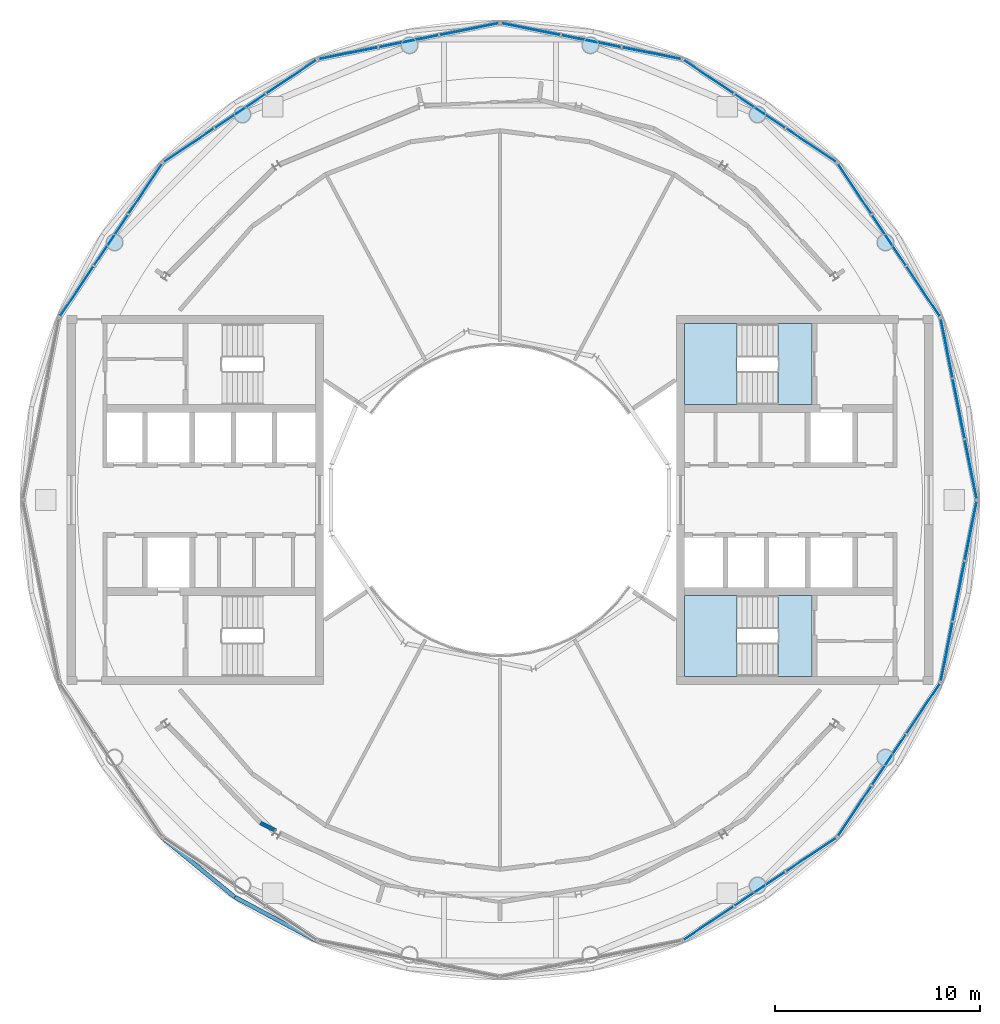
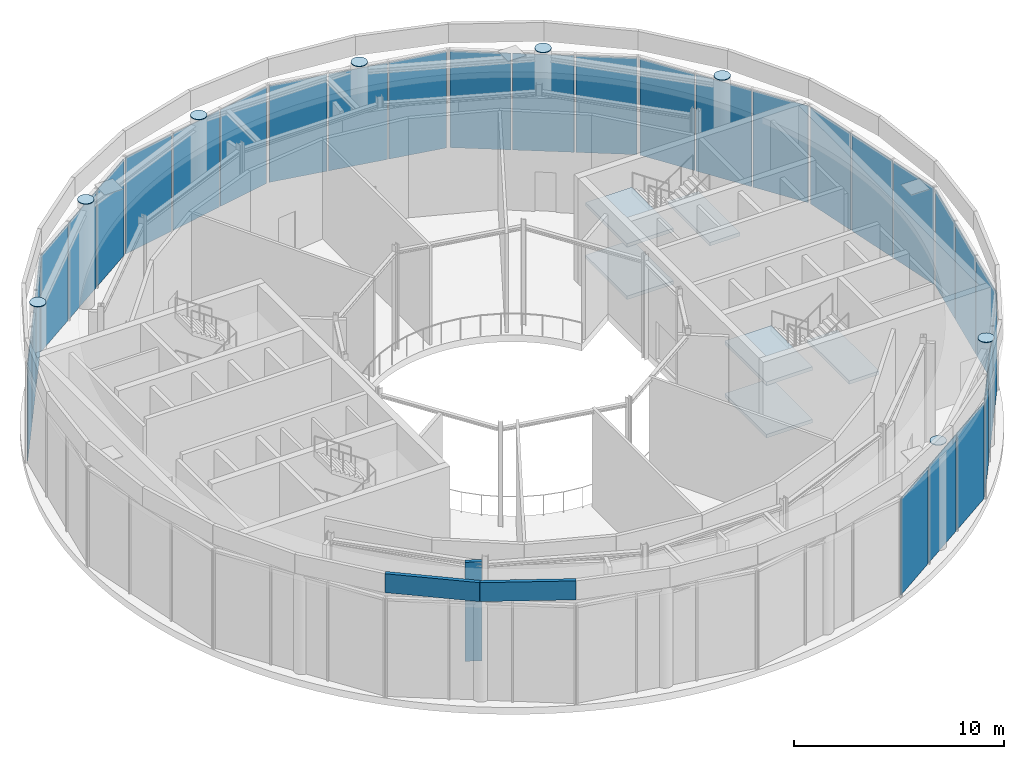
# One storey, part 10 of 20: 38 plates, 6 slabs, 3 walls, 12 elements without a shape of their own.
"""IFC4 building model written with IfcOpenShell, lengths in metres."""

from ifc_helpers import new_model, si_unit, direction, frame, frame_2d, origin, origin_2d, place, context, subcontext, project, spatial, polyline, rectangle, outline, extrude, material, layer, layer_set, type_object, element, aggregate, save


model = new_model("IFC4")

# Units and contexts
model_context = context("Model", 3, precision=1e-05, world=origin(), true_north=direction((0.0, 1.0)))
body_context = subcontext(model_context, "Body", "Model", "MODEL_VIEW")
ifc_project = project(units=[si_unit("LENGTHUNIT", "METRE"), si_unit("AREAUNIT", "SQUARE_METRE"), si_unit("VOLUMEUNIT", "CUBIC_METRE"), si_unit("PLANEANGLEUNIT", "RADIAN"), si_unit("MASSUNIT", "GRAM", prefix="KILO")], contexts=[model_context])

# Site, building, storey
site_placement = place(None, origin())
site = spatial("IfcSite", under=ifc_project, at=site_placement, CompositionType="ELEMENT")
building_placement = place(site_placement, origin())
building = spatial("IfcBuilding", under=site, at=building_placement, Name="Maasbend Ring Residences", CompositionType="ELEMENT")
storey_placement = place(building_placement, frame((0.0, 0.0, 255.39990234375)))
storey = spatial("IfcBuildingStorey", under=building, at=storey_placement, Name="L74", CompositionType="ELEMENT", Elevation=255.39990234375)

# Stair, slabs
ifc_material_1 = material(Name="Concrete C40/50", Category="concrete")
stair_type = type_object("IfcStairType", Name="CORE STAIR 36 RISERS", PredefinedType="HALF_TURN_STAIR", material=ifc_material_1)
stair_1_placement = place(storey_placement, origin())
stair_1 = element("IfcStair", 1, at=stair_1_placement, inside=storey, type_object=stair_type, Name="L74 Exit stair ST-E1", PredefinedType="HALF_TURN_STAIR")
ifc_material_2 = material(Name="Concrete C40/50", Category="concrete")
ifc_layer_1 = layer(ifc_material_2, 0.199951171875)
ifc_layer_set_1 = layer_set([ifc_layer_1], Name="Concrete C40/50")
slab_type = type_object("IfcSlabType", Name="CORE STAIR LANDING 200", PredefinedType="LANDING", material=ifc_layer_set_1)
slab_1_placement = place(storey_placement, frame((0.0, 0.0, 1.3251953125)))
slab_1 = element("IfcSlab", 2, at=slab_1_placement, type_object=slab_type, Name="ST-E1 landing 1", PredefinedType="LANDING", context=body_context, shape_type="SweptSolid", body=[
    extrude(outline(polyline([(11.550048828125, 8.60009765625), (9.0, 8.60009765625), (9.0, 4.64990234375), (11.550048828125, 4.64990234375), (11.550048828125, 8.60009765625)])), origin(), (0.0, 0.0, 1.0), 0.199951171875),
])
slab_2_placement = place(storey_placement, frame((0.0, 0.0, 2.85009765625)))
slab_2 = element("IfcSlab", 3, at=slab_2_placement, type_object=slab_type, Name="ST-E1 landing 2", PredefinedType="LANDING", context=body_context, shape_type="SweptSolid", body=[
    extrude(outline(polyline([(15.199951171875, 8.60009765625), (13.550048828125, 8.60009765625), (13.550048828125, 4.64990234375), (15.199951171875, 4.64990234375), (15.199951171875, 8.60009765625)])), origin(), (0.0, 0.0, 1.0), 0.199951171875),
])
slab_3_placement = place(storey_placement, frame((0.0, 0.0, 4.375)))
slab_3 = element("IfcSlab", 4, at=slab_3_placement, type_object=slab_type, Name="ST-E1 landing 3", PredefinedType="LANDING", context=body_context, shape_type="SweptSolid", body=[
    extrude(outline(polyline([(11.550048828125, 8.60009765625), (9.0, 8.60009765625), (9.0, 4.64990234375), (11.550048828125, 4.64990234375), (11.550048828125, 8.60009765625)])), origin(), (0.0, 0.0, 1.0), 0.2001953125),
])
aggregate(stair_1, [slab_1, slab_2, slab_3])

stair_2_placement = place(storey_placement, origin())
stair_2 = element("IfcStair", 5, at=stair_2_placement, inside=storey, type_object=stair_type, Name="L74 Exit stair ST-E2", PredefinedType="HALF_TURN_STAIR")
slab_4_placement = place(storey_placement, frame((0.0, 0.0, 1.3251953125)))
slab_4 = element("IfcSlab", 6, at=slab_4_placement, type_object=slab_type, Name="ST-E2 landing 1", PredefinedType="LANDING", context=body_context, shape_type="SweptSolid", body=[
    extrude(outline(polyline([(11.550048828125, -4.64990234375), (9.0, -4.64990234375), (9.0, -8.60009765625), (11.550048828125, -8.60009765625), (11.550048828125, -4.64990234375)])), origin(), (0.0, 0.0, 1.0), 0.199951171875),
])
slab_5_placement = place(storey_placement, frame((0.0, 0.0, 2.85009765625)))
slab_5 = element("IfcSlab", 7, at=slab_5_placement, type_object=slab_type, Name="ST-E2 landing 2", PredefinedType="LANDING", context=body_context, shape_type="SweptSolid", body=[
    extrude(outline(polyline([(15.199951171875, -4.64990234375), (13.550048828125, -4.64990234375), (13.550048828125, -8.60009765625), (15.199951171875, -8.60009765625), (15.199951171875, -4.64990234375)])), origin(), (0.0, 0.0, 1.0), 0.199951171875),
])
slab_6_placement = place(storey_placement, frame((0.0, 0.0, 4.375)))
slab_6 = element("IfcSlab", 8, at=slab_6_placement, type_object=slab_type, Name="ST-E2 landing 3", PredefinedType="LANDING", context=body_context, shape_type="SweptSolid", body=[
    extrude(outline(polyline([(11.550048828125, -4.64990234375), (9.0, -4.64990234375), (9.0, -8.60009765625), (11.550048828125, -8.60009765625), (11.550048828125, -4.64990234375)])), origin(), (0.0, 0.0, 1.0), 0.2001953125),
])
aggregate(stair_2, [slab_4, slab_5, slab_6])

# Curtain wall, plates
ifc_material_3 = material(Name="Aluminium and clear glass", Category="aluminium")
ifc_layer_2 = layer(ifc_material_3, 0.219970703125)
ifc_layer_set_2 = layer_set([ifc_layer_2], Name="CW-OB")
curtain_wall_type = type_object("IfcCurtainWallType", Name="CW-OB", PredefinedType="NOTDEFINED", material=ifc_layer_set_2)
curtain_wall_1_placement = place(storey_placement, origin())
curtain_wall_1 = element("IfcCurtainWall", 9, at=curtain_wall_1_placement, inside=storey, type_object=curtain_wall_type, Name="Observation deck curtain wall 01", PredefinedType="NOTDEFINED")
ifc_material_4 = material(Name="Glass clear laminated", Category="glass")
ifc_layer_3 = layer(ifc_material_4, 0.0400390625)
ifc_layer_set_3 = layer_set([ifc_layer_3], Name="CWP-OB")
plate_type_1 = type_object("IfcPlateType", Name="CWP-OB", PredefinedType="CURTAIN_PANEL", material=ifc_layer_set_3)
plate_1_placement = place(storey_placement, frame((22.951171875, 1.50244140625, 0.0), z_axis=(0.0, 0.0, 1.0), x_axis=(-0.195090322016, 0.980785280403, 0.0)))
plate_1 = element("IfcPlate", 10, at=plate_1_placement, type_object=plate_type_1, Name="Glass panel observation deck", PredefinedType="CURTAIN_PANEL", context=body_context, shape_type="SweptSolid", body=[
    extrude(rectangle(XDim=2.90380859375, YDim=0.0400390625, at=origin_2d()), origin(), (0.0, 0.0, 1.0), 5.610107421875),
])
plate_2_placement = place(storey_placement, frame((22.364990234375, 4.44873046875, 0.0), z_axis=(0.0, 0.0, 1.0), x_axis=(-0.195090322016, 0.980785280403, 0.0)))
plate_2 = element("IfcPlate", 11, at=plate_2_placement, type_object=plate_type_1, Name="Glass panel observation deck", PredefinedType="CURTAIN_PANEL", context=body_context, shape_type="SweptSolid", body=[
    extrude(rectangle(XDim=2.94384765625, YDim=0.0400390625, at=origin_2d()), origin(), (0.0, 0.0, 1.0), 5.610107421875),
])
plate_3_placement = place(storey_placement, frame((21.779052734375, 7.394775390625, 0.0), z_axis=(0.0, 0.0, 1.0), x_axis=(-0.195090322016, 0.980785280403, 0.0)))
plate_3 = element("IfcPlate", 12, at=plate_3_placement, type_object=plate_type_1, Name="Glass panel observation deck", PredefinedType="CURTAIN_PANEL", context=body_context, shape_type="SweptSolid", body=[
    extrude(rectangle(XDim=2.90380859375, YDim=0.0400390625, at=origin_2d()), origin(), (0.0, 0.0, 1.0), 5.610107421875),
])
aggregate(curtain_wall_1, [plate_1, plate_2, plate_3])

curtain_wall_2_placement = place(storey_placement, origin())
curtain_wall_2 = element("IfcCurtainWall", 13, at=curtain_wall_2_placement, inside=storey, type_object=curtain_wall_type, Name="Observation deck curtain wall 02", PredefinedType="NOTDEFINED")
plate_4_placement = place(storey_placement, frame((20.629150390625, 10.171142578125, 0.0), z_axis=(0.0, 0.0, 1.0), x_axis=(-0.55557023302, 0.831469612303, 0.0)))
plate_4 = element("IfcPlate", 14, at=plate_4_placement, type_object=plate_type_1, Name="Glass panel observation deck", PredefinedType="CURTAIN_PANEL", context=body_context, shape_type="SweptSolid", body=[
    extrude(rectangle(XDim=2.90380859375, YDim=0.0400390625, at=origin_2d()), origin(), (0.0, 0.0, 1.0), 5.610107421875),
])
plate_5_placement = place(storey_placement, frame((18.960205078125, 12.668701171875, 0.0), z_axis=(0.0, 0.0, 1.0), x_axis=(-0.55557023302, 0.831469612303, 0.0)))
plate_5 = element("IfcPlate", 15, at=plate_5_placement, type_object=plate_type_1, Name="Glass panel observation deck", PredefinedType="CURTAIN_PANEL", context=body_context, shape_type="SweptSolid", body=[
    extrude(rectangle(XDim=2.94384765625, YDim=0.0400390625, at=origin_2d()), origin(), (0.0, 0.0, 1.0), 5.610107421875),
])
plate_6_placement = place(storey_placement, frame((17.291259765625, 15.16650390625, 0.0), z_axis=(0.0, 0.0, 1.0), x_axis=(-0.55557023302, 0.831469612303, 0.0)))
plate_6 = element("IfcPlate", 16, at=plate_6_placement, type_object=plate_type_1, Name="Glass panel observation deck", PredefinedType="CURTAIN_PANEL", context=body_context, shape_type="SweptSolid", body=[
    extrude(rectangle(XDim=2.90380859375, YDim=0.0400390625, at=origin_2d()), origin(), (0.0, 0.0, 1.0), 5.610107421875),
])
aggregate(curtain_wall_2, [plate_4, plate_5, plate_6])

curtain_wall_3_placement = place(storey_placement, origin())
curtain_wall_3 = element("IfcCurtainWall", 17, at=curtain_wall_3_placement, inside=storey, type_object=curtain_wall_type, Name="Observation deck curtain wall 03", PredefinedType="NOTDEFINED")
plate_7_placement = place(storey_placement, frame((15.16650390625, 17.291259765625, 0.0), z_axis=(0.0, 0.0, 1.0), x_axis=(-0.831469612303, 0.55557023302, 0.0)))
plate_7 = element("IfcPlate", 18, at=plate_7_placement, type_object=plate_type_1, Name="Glass panel observation deck", PredefinedType="CURTAIN_PANEL", context=body_context, shape_type="SweptSolid", body=[
    extrude(rectangle(XDim=2.90380859375, YDim=0.0400390625, at=origin_2d()), origin(), (0.0, 0.0, 1.0), 5.610107421875),
])
plate_8_placement = place(storey_placement, frame((12.668701171875, 18.960205078125, 0.0), z_axis=(0.0, 0.0, 1.0), x_axis=(-0.831469612303, 0.55557023302, 0.0)))
plate_8 = element("IfcPlate", 19, at=plate_8_placement, type_object=plate_type_1, Name="Glass panel observation deck", PredefinedType="CURTAIN_PANEL", context=body_context, shape_type="SweptSolid", body=[
    extrude(rectangle(XDim=2.94384765625, YDim=0.0400390625, at=origin_2d()), origin(), (0.0, 0.0, 1.0), 5.610107421875),
])
plate_9_placement = place(storey_placement, frame((10.171142578125, 20.629150390625, 0.0), z_axis=(0.0, 0.0, 1.0), x_axis=(-0.831469612303, 0.55557023302, 0.0)))
plate_9 = element("IfcPlate", 20, at=plate_9_placement, type_object=plate_type_1, Name="Glass panel observation deck", PredefinedType="CURTAIN_PANEL", context=body_context, shape_type="SweptSolid", body=[
    extrude(rectangle(XDim=2.90380859375, YDim=0.0400390625, at=origin_2d()), origin(), (0.0, 0.0, 1.0), 5.610107421875),
])
aggregate(curtain_wall_3, [plate_7, plate_8, plate_9])

curtain_wall_4_placement = place(storey_placement, origin())
curtain_wall_4 = element("IfcCurtainWall", 21, at=curtain_wall_4_placement, inside=storey, type_object=curtain_wall_type, Name="Observation deck curtain wall 04", PredefinedType="NOTDEFINED")
plate_10_placement = place(storey_placement, frame((7.394775390625, 21.779052734375, 0.0), z_axis=(0.0, 0.0, 1.0), x_axis=(-0.980785280403, 0.195090322016, 0.0)))
plate_10 = element("IfcPlate", 22, at=plate_10_placement, type_object=plate_type_1, Name="Glass panel observation deck", PredefinedType="CURTAIN_PANEL", context=body_context, shape_type="SweptSolid", body=[
    extrude(rectangle(XDim=2.90380859375, YDim=0.0400390625, at=origin_2d()), origin(), (0.0, 0.0, 1.0), 5.610107421875),
])
plate_11_placement = place(storey_placement, frame((4.44873046875, 22.364990234375, 0.0), z_axis=(0.0, 0.0, 1.0), x_axis=(-0.980785280403, 0.195090322016, 0.0)))
plate_11 = element("IfcPlate", 23, at=plate_11_placement, type_object=plate_type_1, Name="Glass panel observation deck", PredefinedType="CURTAIN_PANEL", context=body_context, shape_type="SweptSolid", body=[
    extrude(rectangle(XDim=2.94384765625, YDim=0.0400390625, at=origin_2d()), origin(), (0.0, 0.0, 1.0), 5.610107421875),
])
plate_12_placement = place(storey_placement, frame((1.50244140625, 22.951171875, 0.0), z_axis=(0.0, 0.0, 1.0), x_axis=(-0.980785280403, 0.195090322016, 0.0)))
plate_12 = element("IfcPlate", 24, at=plate_12_placement, type_object=plate_type_1, Name="Glass panel observation deck", PredefinedType="CURTAIN_PANEL", context=body_context, shape_type="SweptSolid", body=[
    extrude(rectangle(XDim=2.90380859375, YDim=0.0400390625, at=origin_2d()), origin(), (0.0, 0.0, 1.0), 5.610107421875),
])
aggregate(curtain_wall_4, [plate_10, plate_11, plate_12])

curtain_wall_5_placement = place(storey_placement, origin())
curtain_wall_5 = element("IfcCurtainWall", 25, at=curtain_wall_5_placement, inside=storey, type_object=curtain_wall_type, Name="Observation deck curtain wall 05", PredefinedType="NOTDEFINED")
plate_13_placement = place(storey_placement, frame((-1.50244140625, 22.951171875, 0.0), z_axis=(0.0, 0.0, 1.0), x_axis=(-0.980785280403, -0.195090322016, 0.0)))
plate_13 = element("IfcPlate", 26, at=plate_13_placement, type_object=plate_type_1, Name="Glass panel observation deck", PredefinedType="CURTAIN_PANEL", context=body_context, shape_type="SweptSolid", body=[
    extrude(rectangle(XDim=2.90380859375, YDim=0.0400390625, at=origin_2d()), origin(), (0.0, 0.0, 1.0), 5.610107421875),
])
plate_14_placement = place(storey_placement, frame((-4.44873046875, 22.364990234375, 0.0), z_axis=(0.0, 0.0, 1.0), x_axis=(-0.980785280403, -0.195090322016, 0.0)))
plate_14 = element("IfcPlate", 27, at=plate_14_placement, type_object=plate_type_1, Name="Glass panel observation deck", PredefinedType="CURTAIN_PANEL", context=body_context, shape_type="SweptSolid", body=[
    extrude(rectangle(XDim=2.94384765625, YDim=0.0400390625, at=origin_2d()), origin(), (0.0, 0.0, 1.0), 5.610107421875),
])
plate_15_placement = place(storey_placement, frame((-7.394775390625, 21.779052734375, 0.0), z_axis=(0.0, 0.0, 1.0), x_axis=(-0.980785280403, -0.195090322016, 0.0)))
plate_15 = element("IfcPlate", 28, at=plate_15_placement, type_object=plate_type_1, Name="Glass panel observation deck", PredefinedType="CURTAIN_PANEL", context=body_context, shape_type="SweptSolid", body=[
    extrude(rectangle(XDim=2.90380859375, YDim=0.0400390625, at=origin_2d()), origin(), (0.0, 0.0, 1.0), 5.610107421875),
])
aggregate(curtain_wall_5, [plate_13, plate_14, plate_15])

curtain_wall_6_placement = place(storey_placement, origin())
curtain_wall_6 = element("IfcCurtainWall", 29, at=curtain_wall_6_placement, inside=storey, type_object=curtain_wall_type, Name="Observation deck curtain wall 06", PredefinedType="NOTDEFINED")
plate_16_placement = place(storey_placement, frame((-10.171142578125, 20.629150390625, 0.0), z_axis=(0.0, 0.0, 1.0), x_axis=(-0.831469612303, -0.55557023302, 0.0)))
plate_16 = element("IfcPlate", 30, at=plate_16_placement, type_object=plate_type_1, Name="Glass panel observation deck", PredefinedType="CURTAIN_PANEL", context=body_context, shape_type="SweptSolid", body=[
    extrude(rectangle(XDim=2.90380859375, YDim=0.0400390625, at=origin_2d()), origin(), (0.0, 0.0, 1.0), 5.610107421875),
])
plate_17_placement = place(storey_placement, frame((-12.668701171875, 18.960205078125, 0.0), z_axis=(0.0, 0.0, 1.0), x_axis=(-0.831469612303, -0.55557023302, 0.0)))
plate_17 = element("IfcPlate", 31, at=plate_17_placement, type_object=plate_type_1, Name="Glass panel observation deck", PredefinedType="CURTAIN_PANEL", context=body_context, shape_type="SweptSolid", body=[
    extrude(rectangle(XDim=2.94384765625, YDim=0.0400390625, at=origin_2d()), origin(), (0.0, 0.0, 1.0), 5.610107421875),
])
plate_18_placement = place(storey_placement, frame((-15.16650390625, 17.291259765625, 0.0), z_axis=(0.0, 0.0, 1.0), x_axis=(-0.831469612303, -0.55557023302, 0.0)))
plate_18 = element("IfcPlate", 32, at=plate_18_placement, type_object=plate_type_1, Name="Glass panel observation deck", PredefinedType="CURTAIN_PANEL", context=body_context, shape_type="SweptSolid", body=[
    extrude(rectangle(XDim=2.90380859375, YDim=0.0400390625, at=origin_2d()), origin(), (0.0, 0.0, 1.0), 5.610107421875),
])
aggregate(curtain_wall_6, [plate_16, plate_17, plate_18])

curtain_wall_7_placement = place(storey_placement, origin())
curtain_wall_7 = element("IfcCurtainWall", 33, at=curtain_wall_7_placement, inside=storey, type_object=curtain_wall_type, Name="Observation deck curtain wall 07", PredefinedType="NOTDEFINED")
plate_19_placement = place(storey_placement, frame((-17.291259765625, 15.16650390625, 0.0), z_axis=(0.0, 0.0, 1.0), x_axis=(-0.55557023302, -0.831469612303, 0.0)))
plate_19 = element("IfcPlate", 34, at=plate_19_placement, type_object=plate_type_1, Name="Glass panel observation deck", PredefinedType="CURTAIN_PANEL", context=body_context, shape_type="SweptSolid", body=[
    extrude(rectangle(XDim=2.90380859375, YDim=0.0400390625, at=origin_2d()), origin(), (0.0, 0.0, 1.0), 5.610107421875),
])
plate_20_placement = place(storey_placement, frame((-18.960205078125, 12.668701171875, 0.0), z_axis=(0.0, 0.0, 1.0), x_axis=(-0.55557023302, -0.831469612303, 0.0)))
plate_20 = element("IfcPlate", 35, at=plate_20_placement, type_object=plate_type_1, Name="Glass panel observation deck", PredefinedType="CURTAIN_PANEL", context=body_context, shape_type="SweptSolid", body=[
    extrude(rectangle(XDim=2.94384765625, YDim=0.0400390625, at=origin_2d()), origin(), (0.0, 0.0, 1.0), 5.610107421875),
])
plate_21_placement = place(storey_placement, frame((-20.629150390625, 10.171142578125, 0.0), z_axis=(0.0, 0.0, 1.0), x_axis=(-0.55557023302, -0.831469612303, 0.0)))
plate_21 = element("IfcPlate", 36, at=plate_21_placement, type_object=plate_type_1, Name="Glass panel observation deck", PredefinedType="CURTAIN_PANEL", context=body_context, shape_type="SweptSolid", body=[
    extrude(rectangle(XDim=2.90380859375, YDim=0.0400390625, at=origin_2d()), origin(), (0.0, 0.0, 1.0), 5.610107421875),
])
aggregate(curtain_wall_7, [plate_19, plate_20, plate_21])

curtain_wall_8_placement = place(storey_placement, origin())
curtain_wall_8 = element("IfcCurtainWall", 37, at=curtain_wall_8_placement, inside=storey, type_object=curtain_wall_type, Name="Observation deck curtain wall 14", PredefinedType="NOTDEFINED")
plate_22_placement = place(storey_placement, frame((10.171142578125, -20.629150390625, 0.0), z_axis=(0.0, 0.0, 1.0), x_axis=(0.831469612303, 0.55557023302, 0.0)))
plate_22 = element("IfcPlate", 38, at=plate_22_placement, type_object=plate_type_1, Name="Glass panel observation deck", PredefinedType="CURTAIN_PANEL", context=body_context, shape_type="SweptSolid", body=[
    extrude(rectangle(XDim=2.90380859375, YDim=0.0400390625, at=origin_2d()), origin(), (0.0, 0.0, 1.0), 5.610107421875),
])
plate_23_placement = place(storey_placement, frame((12.668701171875, -18.960205078125, 0.0), z_axis=(0.0, 0.0, 1.0), x_axis=(0.831469612303, 0.55557023302, 0.0)))
plate_23 = element("IfcPlate", 39, at=plate_23_placement, type_object=plate_type_1, Name="Glass panel observation deck", PredefinedType="CURTAIN_PANEL", context=body_context, shape_type="SweptSolid", body=[
    extrude(rectangle(XDim=2.94384765625, YDim=0.0400390625, at=origin_2d()), origin(), (0.0, 0.0, 1.0), 5.610107421875),
])
plate_24_placement = place(storey_placement, frame((15.16650390625, -17.291259765625, 0.0), z_axis=(0.0, 0.0, 1.0), x_axis=(0.831469612303, 0.55557023302, 0.0)))
plate_24 = element("IfcPlate", 40, at=plate_24_placement, type_object=plate_type_1, Name="Glass panel observation deck", PredefinedType="CURTAIN_PANEL", context=body_context, shape_type="SweptSolid", body=[
    extrude(rectangle(XDim=2.90380859375, YDim=0.0400390625, at=origin_2d()), origin(), (0.0, 0.0, 1.0), 5.610107421875),
])
aggregate(curtain_wall_8, [plate_22, plate_23, plate_24])

curtain_wall_9_placement = place(storey_placement, origin())
curtain_wall_9 = element("IfcCurtainWall", 41, at=curtain_wall_9_placement, inside=storey, type_object=curtain_wall_type, Name="Observation deck curtain wall 15", PredefinedType="NOTDEFINED")
plate_25_placement = place(storey_placement, frame((17.291259765625, -15.16650390625, 0.0), z_axis=(0.0, 0.0, 1.0), x_axis=(0.55557023302, 0.831469612303, 0.0)))
plate_25 = element("IfcPlate", 42, at=plate_25_placement, type_object=plate_type_1, Name="Glass panel observation deck", PredefinedType="CURTAIN_PANEL", context=body_context, shape_type="SweptSolid", body=[
    extrude(rectangle(XDim=2.90380859375, YDim=0.0400390625, at=origin_2d()), origin(), (0.0, 0.0, 1.0), 5.610107421875),
])
plate_26_placement = place(storey_placement, frame((18.960205078125, -12.668701171875, 0.0), z_axis=(0.0, 0.0, 1.0), x_axis=(0.55557023302, 0.831469612303, 0.0)))
plate_26 = element("IfcPlate", 43, at=plate_26_placement, type_object=plate_type_1, Name="Glass panel observation deck", PredefinedType="CURTAIN_PANEL", context=body_context, shape_type="SweptSolid", body=[
    extrude(rectangle(XDim=2.94384765625, YDim=0.0400390625, at=origin_2d()), origin(), (0.0, 0.0, 1.0), 5.610107421875),
])
plate_27_placement = place(storey_placement, frame((20.629150390625, -10.171142578125, 0.0), z_axis=(0.0, 0.0, 1.0), x_axis=(0.55557023302, 0.831469612303, 0.0)))
plate_27 = element("IfcPlate", 44, at=plate_27_placement, type_object=plate_type_1, Name="Glass panel observation deck", PredefinedType="CURTAIN_PANEL", context=body_context, shape_type="SweptSolid", body=[
    extrude(rectangle(XDim=2.90380859375, YDim=0.0400390625, at=origin_2d()), origin(), (0.0, 0.0, 1.0), 5.610107421875),
])
aggregate(curtain_wall_9, [plate_25, plate_26, plate_27])

curtain_wall_10_placement = place(storey_placement, origin())
curtain_wall_10 = element("IfcCurtainWall", 45, at=curtain_wall_10_placement, inside=storey, type_object=curtain_wall_type, Name="Observation deck curtain wall 16", PredefinedType="NOTDEFINED")
plate_28_placement = place(storey_placement, frame((21.779052734375, -7.394775390625, 0.0), z_axis=(0.0, 0.0, 1.0), x_axis=(0.195090322016, 0.980785280403, 0.0)))
plate_28 = element("IfcPlate", 46, at=plate_28_placement, type_object=plate_type_1, Name="Glass panel observation deck", PredefinedType="CURTAIN_PANEL", context=body_context, shape_type="SweptSolid", body=[
    extrude(rectangle(XDim=2.90380859375, YDim=0.0400390625, at=origin_2d()), origin(), (0.0, 0.0, 1.0), 5.610107421875),
])
plate_29_placement = place(storey_placement, frame((22.364990234375, -4.44873046875, 0.0), z_axis=(0.0, 0.0, 1.0), x_axis=(0.195090322016, 0.980785280403, 0.0)))
plate_29 = element("IfcPlate", 47, at=plate_29_placement, type_object=plate_type_1, Name="Glass panel observation deck", PredefinedType="CURTAIN_PANEL", context=body_context, shape_type="SweptSolid", body=[
    extrude(rectangle(XDim=2.94384765625, YDim=0.0400390625, at=origin_2d()), origin(), (0.0, 0.0, 1.0), 5.610107421875),
])
plate_30_placement = place(storey_placement, frame((22.951171875, -1.50244140625, 0.0), z_axis=(0.0, 0.0, 1.0), x_axis=(0.195090322016, 0.980785280403, 0.0)))
plate_30 = element("IfcPlate", 48, at=plate_30_placement, type_object=plate_type_1, Name="Glass panel observation deck", PredefinedType="CURTAIN_PANEL", context=body_context, shape_type="SweptSolid", body=[
    extrude(rectangle(XDim=2.90380859375, YDim=0.0400390625, at=origin_2d()), origin(), (0.0, 0.0, 1.0), 5.610107421875),
])
aggregate(curtain_wall_10, [plate_28, plate_29, plate_30])

# Plates
ifc_material_5 = material(Name="Steel S460NH", Category="steel")
ifc_layer_4 = layer(ifc_material_5, 0.035888671875)
ifc_layer_set_4 = layer_set([ifc_layer_4], Name="Steel S460NH")
plate_type_2 = type_object("IfcPlateType", Name="End plate CHS 813x30 36", PredefinedType="USERDEFINED", material=ifc_layer_set_4)
plate_31_placement = place(storey_placement, frame((0.0, 0.0, 6.10009765625)))
element("IfcPlate", 49, at=plate_31_placement, inside=storey, type_object=plate_type_2, Name="Column head plate R2", ObjectType="END PLATE", PredefinedType="USERDEFINED", context=body_context, shape_type="SweptSolid", body=[
    extrude(outline(polyline([(19.187744140625, 12.555908203125), (19.17431640625, 12.658447265625), (19.134521484375, 12.754150390625), (19.071533203125, 12.836181640625), (18.989501953125, 12.8994140625), (18.893798828125, 12.93896484375), (18.791259765625, 12.952392578125), (18.688720703125, 12.93896484375), (18.593017578125, 12.8994140625), (18.5107421875, 12.836181640625), (18.44775390625, 12.754150390625), (18.408203125, 12.658447265625), (18.394775390625, 12.555908203125), (18.408203125, 12.453369140625), (18.44775390625, 12.357666015625), (18.5107421875, 12.275390625), (18.593017578125, 12.21240234375), (18.688720703125, 12.1728515625), (18.791259765625, 12.159423828125), (18.893798828125, 12.1728515625), (18.989501953125, 12.21240234375), (19.071533203125, 12.275390625), (19.134521484375, 12.357666015625), (19.17431640625, 12.453369140625), (19.187744140625, 12.555908203125)])), origin(), (0.0, 0.0, 1.0), 0.035888671875),
])
plate_32_placement = place(storey_placement, frame((0.0, 0.0, 6.10009765625)))
element("IfcPlate", 50, at=plate_32_placement, inside=storey, type_object=plate_type_2, Name="Column head plate R3", ObjectType="END PLATE", PredefinedType="USERDEFINED", context=body_context, shape_type="SweptSolid", body=[
    extrude(outline(polyline([(12.952392578125, 18.791259765625), (12.93896484375, 18.893798828125), (12.8994140625, 18.989501953125), (12.836181640625, 19.071533203125), (12.754150390625, 19.134521484375), (12.658447265625, 19.17431640625), (12.555908203125, 19.187744140625), (12.453369140625, 19.17431640625), (12.357666015625, 19.134521484375), (12.275390625, 19.071533203125), (12.21240234375, 18.989501953125), (12.1728515625, 18.893798828125), (12.159423828125, 18.791259765625), (12.1728515625, 18.688720703125), (12.21240234375, 18.593017578125), (12.275390625, 18.5107421875), (12.357666015625, 18.44775390625), (12.453369140625, 18.408203125), (12.555908203125, 18.394775390625), (12.658447265625, 18.408203125), (12.754150390625, 18.44775390625), (12.836181640625, 18.5107421875), (12.8994140625, 18.593017578125), (12.93896484375, 18.688720703125), (12.952392578125, 18.791259765625)])), origin(), (0.0, 0.0, 1.0), 0.035888671875),
])
plate_33_placement = place(storey_placement, frame((0.0, 0.0, 6.10009765625)))
element("IfcPlate", 51, at=plate_33_placement, inside=storey, type_object=plate_type_2, Name="Column head plate R4", ObjectType="END PLATE", PredefinedType="USERDEFINED", context=body_context, shape_type="SweptSolid", body=[
    extrude(outline(polyline([(4.805419921875, 22.165771484375), (4.7919921875, 22.268310546875), (4.75244140625, 22.364013671875), (4.689453125, 22.446044921875), (4.607177734375, 22.509033203125), (4.51171875, 22.548583984375), (4.408935546875, 22.562255859375), (4.306396484375, 22.548583984375), (4.210693359375, 22.509033203125), (4.128662109375, 22.446044921875), (4.065673828125, 22.364013671875), (4.02587890625, 22.268310546875), (4.012451171875, 22.165771484375), (4.02587890625, 22.06298828125), (4.065673828125, 21.96728515625), (4.128662109375, 21.88525390625), (4.210693359375, 21.822265625), (4.306396484375, 21.78271484375), (4.408935546875, 21.769287109375), (4.51171875, 21.78271484375), (4.607177734375, 21.822265625), (4.689453125, 21.88525390625), (4.75244140625, 21.96728515625), (4.7919921875, 22.06298828125), (4.805419921875, 22.165771484375)])), origin(), (0.0, 0.0, 1.0), 0.035888671875),
])
plate_34_placement = place(storey_placement, frame((0.0, 0.0, 6.10009765625)))
element("IfcPlate", 52, at=plate_34_placement, inside=storey, type_object=plate_type_2, Name="Column head plate R5", ObjectType="END PLATE", PredefinedType="USERDEFINED", context=body_context, shape_type="SweptSolid", body=[
    extrude(outline(polyline([(-4.012451171875, 22.165771484375), (-4.02587890625, 22.268310546875), (-4.065673828125, 22.364013671875), (-4.128662109375, 22.446044921875), (-4.210693359375, 22.509033203125), (-4.306396484375, 22.548583984375), (-4.408935546875, 22.562255859375), (-4.51171875, 22.548583984375), (-4.607177734375, 22.509033203125), (-4.689453125, 22.446044921875), (-4.75244140625, 22.364013671875), (-4.7919921875, 22.268310546875), (-4.805419921875, 22.165771484375), (-4.7919921875, 22.06298828125), (-4.75244140625, 21.96728515625), (-4.689453125, 21.88525390625), (-4.607177734375, 21.822265625), (-4.51171875, 21.78271484375), (-4.408935546875, 21.769287109375), (-4.306396484375, 21.78271484375), (-4.210693359375, 21.822265625), (-4.128662109375, 21.88525390625), (-4.065673828125, 21.96728515625), (-4.02587890625, 22.06298828125), (-4.012451171875, 22.165771484375)])), origin(), (0.0, 0.0, 1.0), 0.035888671875),
])
plate_35_placement = place(storey_placement, frame((0.0, 0.0, 6.10009765625)))
element("IfcPlate", 53, at=plate_35_placement, inside=storey, type_object=plate_type_2, Name="Column head plate R6", ObjectType="END PLATE", PredefinedType="USERDEFINED", context=body_context, shape_type="SweptSolid", body=[
    extrude(outline(polyline([(-12.159423828125, 18.791259765625), (-12.1728515625, 18.893798828125), (-12.21240234375, 18.989501953125), (-12.275390625, 19.071533203125), (-12.357666015625, 19.134521484375), (-12.453369140625, 19.17431640625), (-12.555908203125, 19.187744140625), (-12.658447265625, 19.17431640625), (-12.754150390625, 19.134521484375), (-12.836181640625, 19.071533203125), (-12.8994140625, 18.989501953125), (-12.93896484375, 18.893798828125), (-12.952392578125, 18.791259765625), (-12.93896484375, 18.688720703125), (-12.8994140625, 18.593017578125), (-12.836181640625, 18.5107421875), (-12.754150390625, 18.44775390625), (-12.658447265625, 18.408203125), (-12.555908203125, 18.394775390625), (-12.453369140625, 18.408203125), (-12.357666015625, 18.44775390625), (-12.275390625, 18.5107421875), (-12.21240234375, 18.593017578125), (-12.1728515625, 18.688720703125), (-12.159423828125, 18.791259765625)])), origin(), (0.0, 0.0, 1.0), 0.035888671875),
])
plate_36_placement = place(storey_placement, frame((0.0, 0.0, 6.10009765625)))
element("IfcPlate", 54, at=plate_36_placement, inside=storey, type_object=plate_type_2, Name="Column head plate R7", ObjectType="END PLATE", PredefinedType="USERDEFINED", context=body_context, shape_type="SweptSolid", body=[
    extrude(outline(polyline([(-18.394775390625, 12.555908203125), (-18.408203125, 12.658447265625), (-18.44775390625, 12.754150390625), (-18.5107421875, 12.836181640625), (-18.593017578125, 12.8994140625), (-18.688720703125, 12.93896484375), (-18.791259765625, 12.952392578125), (-18.893798828125, 12.93896484375), (-18.989501953125, 12.8994140625), (-19.071533203125, 12.836181640625), (-19.134521484375, 12.754150390625), (-19.17431640625, 12.658447265625), (-19.187744140625, 12.555908203125), (-19.17431640625, 12.453369140625), (-19.134521484375, 12.357666015625), (-19.071533203125, 12.275390625), (-18.989501953125, 12.21240234375), (-18.893798828125, 12.1728515625), (-18.791259765625, 12.159423828125), (-18.688720703125, 12.1728515625), (-18.593017578125, 12.21240234375), (-18.5107421875, 12.275390625), (-18.44775390625, 12.357666015625), (-18.408203125, 12.453369140625), (-18.394775390625, 12.555908203125)])), origin(), (0.0, 0.0, 1.0), 0.035888671875),
])
plate_37_placement = place(storey_placement, frame((0.0, 0.0, 6.10009765625)))
element("IfcPlate", 55, at=plate_37_placement, inside=storey, type_object=plate_type_2, Name="Column head plate R14", ObjectType="END PLATE", PredefinedType="USERDEFINED", context=body_context, shape_type="SweptSolid", body=[
    extrude(outline(polyline([(12.952392578125, -18.791259765625), (12.93896484375, -18.688720703125), (12.8994140625, -18.593017578125), (12.836181640625, -18.5107421875), (12.754150390625, -18.44775390625), (12.658447265625, -18.408203125), (12.555908203125, -18.394775390625), (12.453369140625, -18.408203125), (12.357666015625, -18.44775390625), (12.275390625, -18.5107421875), (12.21240234375, -18.593017578125), (12.1728515625, -18.688720703125), (12.159423828125, -18.791259765625), (12.1728515625, -18.893798828125), (12.21240234375, -18.989501953125), (12.275390625, -19.071533203125), (12.357666015625, -19.134521484375), (12.453369140625, -19.17431640625), (12.555908203125, -19.187744140625), (12.658447265625, -19.17431640625), (12.754150390625, -19.134521484375), (12.836181640625, -19.071533203125), (12.8994140625, -18.989501953125), (12.93896484375, -18.893798828125), (12.952392578125, -18.791259765625)])), origin(), (0.0, 0.0, 1.0), 0.035888671875),
])
plate_38_placement = place(storey_placement, frame((0.0, 0.0, 6.10009765625)))
element("IfcPlate", 56, at=plate_38_placement, inside=storey, type_object=plate_type_2, Name="Column head plate R15", ObjectType="END PLATE", PredefinedType="USERDEFINED", context=body_context, shape_type="SweptSolid", body=[
    extrude(outline(polyline([(19.187744140625, -12.555908203125), (19.17431640625, -12.453369140625), (19.134521484375, -12.357666015625), (19.071533203125, -12.275390625), (18.989501953125, -12.21240234375), (18.893798828125, -12.1728515625), (18.791259765625, -12.159423828125), (18.688720703125, -12.1728515625), (18.593017578125, -12.21240234375), (18.5107421875, -12.275390625), (18.44775390625, -12.357666015625), (18.408203125, -12.453369140625), (18.394775390625, -12.555908203125), (18.408203125, -12.658447265625), (18.44775390625, -12.754150390625), (18.5107421875, -12.836181640625), (18.593017578125, -12.8994140625), (18.688720703125, -12.93896484375), (18.791259765625, -12.952392578125), (18.893798828125, -12.93896484375), (18.989501953125, -12.8994140625), (19.071533203125, -12.836181640625), (19.134521484375, -12.754150390625), (19.17431640625, -12.658447265625), (19.187744140625, -12.555908203125)])), origin(), (0.0, 0.0, 1.0), 0.035888671875),
])

# Walls
ifc_material_6 = material(Name="Concrete C30/37", Category="concrete")
ifc_layer_5 = layer(ifc_material_6, 0.199951171875)
ifc_layer_set_5 = layer_set([ifc_layer_5], Name="Concrete C30/37")
wall_type_1 = type_object("IfcWallType", Name="CORRIDOR WALL 200 CONCRETE", PredefinedType="PARTITIONING", material=ifc_layer_set_5)
wall_1_placement = place(storey_placement, frame((-11.676025390625, -15.742919921875, 0.0), z_axis=(0.0, 0.0, 1.0), x_axis=(0.893110817984, -0.449836711263, 0.0)))
element("IfcWall", 57, at=wall_1_placement, inside=storey, type_object=wall_type_1, Name="U-L74-w006", PredefinedType="PARTITIONING", context=body_context, shape_type="SweptSolid", body=[
    extrude(rectangle(XDim=0.818359375, YDim=0.199951171875, at=frame_2d((0.4091796875, 0.0))), origin(), (0.0, 0.0, 1.0), 5.75),
])
ifc_material_7 = material(Name="Pale anodised aluminium panel", Category="aluminium")
ifc_layer_6 = layer(ifc_material_7, 0.199951171875)
ifc_layer_set_6 = layer_set([ifc_layer_6], Name="WALL-PARAPET")
wall_type_2 = type_object("IfcWallType", Name="WALL-PARAPET", PredefinedType="PARAPET", material=ifc_layer_set_6)
wall_2_placement = place(storey_placement, frame((-16.4609375, -16.4609375, 6.10009765625), z_axis=(0.0, 0.0, 1.0), x_axis=(0.772840573317, -0.6346002271, 0.0)))
element("IfcWall", 58, at=wall_2_placement, inside=storey, type_object=wall_type_2, Name="Roof parapet 21", PredefinedType="PARAPET", context=body_context, shape_type="SweptSolid", body=[
    extrude(rectangle(XDim=4.5634765625, YDim=0.199951171875, at=frame_2d((2.28173828125, 0.0))), origin(), (0.0, 0.0, 1.0), 1.10009765625),
])
wall_3_placement = place(storey_placement, frame((-12.93408203125, -19.35693359375, 6.10009765625), z_axis=(0.0, 0.0, 1.0), x_axis=(0.881954289711, -0.471334945511, 0.0)))
element("IfcWall", 59, at=wall_3_placement, inside=storey, type_object=wall_type_2, Name="Roof parapet 22", PredefinedType="PARAPET", context=body_context, shape_type="SweptSolid", body=[
    extrude(rectangle(XDim=4.56396484375, YDim=0.199951171875, at=frame_2d((2.281982421875, 0.0))), origin(), (0.0, 0.0, 1.0), 1.10009765625),
])

save(model, "model.ifc")
